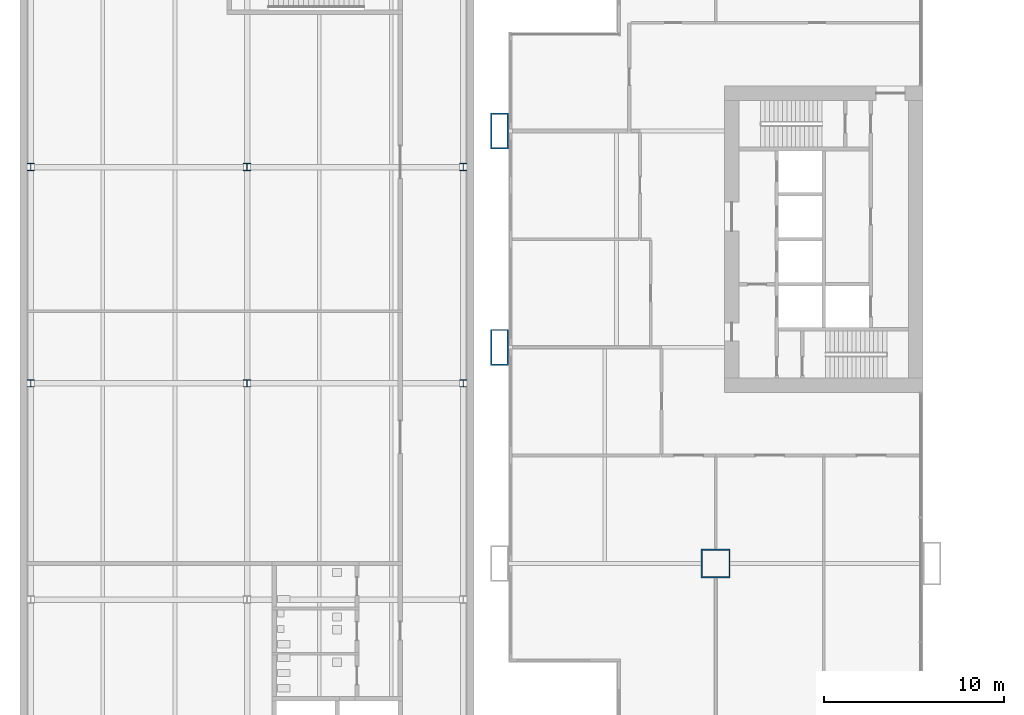
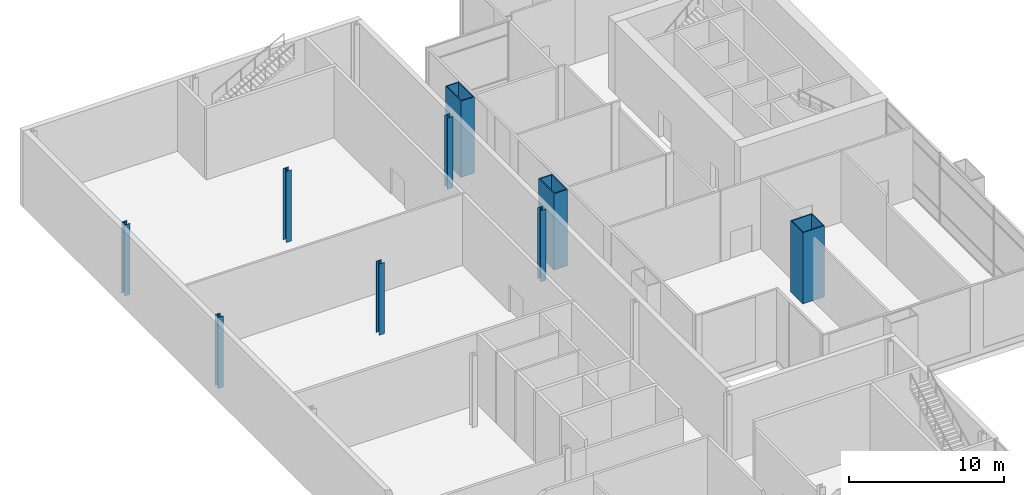
# One storey, part 3 of 30: 9 columns.
"""IFC4 building model written with IfcOpenShell, lengths in metres."""

from ifc_helpers import new_model, si_unit, direction, frame, origin, origin_2d, place, context, subcontext, project, spatial, hollow_rectangle, i_section, extrude, material, material_profile, profile_set, type_object, element, save


model = new_model("IFC4")

# Units and contexts
model_context = context("Model", 3, precision=1e-05, world=origin(), true_north=direction((0.0, 1.0)))
body_context = subcontext(model_context, "Body", "Model", "MODEL_VIEW")
ifc_project = project(units=[si_unit("LENGTHUNIT", "METRE"), si_unit("AREAUNIT", "SQUARE_METRE"), si_unit("VOLUMEUNIT", "CUBIC_METRE"), si_unit("PLANEANGLEUNIT", "RADIAN"), si_unit("MASSUNIT", "GRAM", prefix="KILO")], contexts=[model_context])

# Site, building, storey
site_placement = place(None, origin())
site = spatial("IfcSite", under=ifc_project, at=site_placement, CompositionType="ELEMENT")
building_placement = place(site_placement, origin())
building = spatial("IfcBuilding", under=site, at=building_placement, Name="Kitamizu Gate Tower and Museum", CompositionType="ELEMENT")
storey_placement = place(building_placement, frame((0.0, 0.0, 6.0)))
storey = spatial("IfcBuildingStorey", under=building, at=storey_placement, Name="L01", CompositionType="ELEMENT", Elevation=6.0)

# Columns
ifc_material_1 = material(Name="Steel SM490A", Category="steel")
ifc_material_profile_1 = material_profile(ifc_material_1, hollow_rectangle(XDim=1.60009765625, YDim=1.60009765625, WallThickness=0.070068359375, at=origin_2d()), Name="BOX 1600x1600x70")
ifc_profile_set_1 = profile_set([ifc_material_profile_1], Name="Steel SM490A")
column_type_1 = type_object("IfcColumnType", Name="Interior column IC1 BOX 1600x1600x70", PredefinedType="COLUMN", material=ifc_profile_set_1)
column_placement = place(storey_placement, frame((12.0, 12.0, 0.0), z_axis=(0.0, 0.0, 1.0), x_axis=(1.0, 0.0, 0.0)))
element("IfcColumn", 1, at=column_placement, inside=storey, type_object=column_type_1, Name="Column IC1 2B L01", PredefinedType="COLUMN", context=body_context, shape_type="SweptSolid", body=[
    extrude(hollow_rectangle(XDim=1.60009765625, YDim=1.60009765625, WallThickness=0.070068359375, at=origin_2d()), origin(), (0.0, 0.0, 1.0), 5.60009765625),
])
ifc_material_2 = material(Name="Steel SS400", Category="steel")
ifc_material_profile_2 = material_profile(ifc_material_2, i_section(OverallWidth=0.39990234375, OverallDepth=0.39990234375, WebThickness=0.012939453125, FlangeThickness=0.02099609375, FilletRadius=0.02197265625, at=origin_2d()), Name="H-400x400x13x21")
ifc_profile_set_2 = profile_set([ifc_material_profile_2], Name="Steel SS400")
column_type_2 = type_object("IfcColumnType", Name="Museum column H 400x400x13x21", PredefinedType="COLUMN", material=ifc_profile_set_2)
for number, where, z_axis, x_axis, name in (
    (2, (-14.0, 22.0, 0.0), (0.0, 0.0, 1.0), (1.0, 0.0, 0.0), "Column M2ME"),
    (3, (-14.0, 34.0, 0.0), (0.0, 0.0, 1.0), (1.0, 0.0, 0.0), "Column M2MF"),
):
    element("IfcColumn", number, at=place(storey_placement, frame(where, z_axis=z_axis, x_axis=x_axis)), inside=storey, type_object=column_type_2, Name=name, PredefinedType="COLUMN", context=body_context, shape_type="SweptSolid", body=[
        extrude(i_section(OverallWidth=0.39990234375, OverallDepth=0.39990234375, WebThickness=0.012939453125, FlangeThickness=0.02099609375, FilletRadius=0.02197265625, at=origin_2d()), origin(), (0.0, 0.0, 1.0), 5.60009765625),
    ])
ifc_material_3 = material(Name="Steel SS400", Category="steel")
ifc_material_profile_3 = material_profile(ifc_material_3, i_section(OverallWidth=0.39990234375, OverallDepth=0.39990234375, WebThickness=0.012939453125, FlangeThickness=0.02099609375, FilletRadius=0.02197265625, at=origin_2d()), Name="H-400x400x13x21")
ifc_profile_set_3 = profile_set([ifc_material_profile_3], Name="Steel SS400")
column_type_3 = type_object("IfcColumnType", Name="Museum perimeter column H 400x400x13x21", PredefinedType="COLUMN", material=ifc_profile_set_3)
for number, where, z_axis, x_axis, name in (
    (4, (-26.0, 22.0, 0.0), (0.0, 0.0, 1.0), (1.0, 0.0, 0.0), "Column M1ME"),
    (5, (-26.0, 34.0, 0.0), (0.0, 0.0, 1.0), (1.0, 0.0, 0.0), "Column M1MF"),
    (6, (-2.0, 22.0, 0.0), (0.0, 0.0, 1.0), (1.0, 0.0, 0.0), "Column M3ME"),
    (7, (-2.0, 34.0, 0.0), (0.0, 0.0, 1.0), (1.0, 0.0, 0.0), "Column M3MF"),
):
    element("IfcColumn", number, at=place(storey_placement, frame(where, z_axis=z_axis, x_axis=x_axis)), inside=storey, type_object=column_type_3, Name=name, PredefinedType="COLUMN", context=body_context, shape_type="SweptSolid", body=[
        extrude(i_section(OverallWidth=0.39990234375, OverallDepth=0.39990234375, WebThickness=0.012939453125, FlangeThickness=0.02099609375, FilletRadius=0.02197265625, at=origin_2d()), origin(), (0.0, 0.0, 1.0), 5.60009765625),
    ])
ifc_material_4 = material(Name="Steel SM490A bronze coated", Category="steel")
ifc_material_profile_4 = material_profile(ifc_material_4, hollow_rectangle(XDim=2.0, YDim=1.0, WallThickness=0.080078125, at=origin_2d()), Name="BOX 2000x1000x80")
ifc_profile_set_4 = profile_set([ifc_material_profile_4], Name="Steel SM490A bronze coated")
column_type_4 = type_object("IfcColumnType", Name="Podium leg column LC1 BOX 2000x1000x80", PredefinedType="COLUMN", material=ifc_profile_set_4)
for number, where, z_axis, x_axis, name in (
    (8, (0.0, 24.0, -0.39990234375), (0.0, 0.0, 1.0), (0.0, 1.0, 0.0), "Column LC1 1C L01"),
    (9, (0.0, 36.0, -0.39990234375), (0.0, 0.0, 1.0), (0.0, 1.0, 0.0), "Column LC1 1D L01"),
):
    element("IfcColumn", number, at=place(storey_placement, frame(where, z_axis=z_axis, x_axis=x_axis)), inside=storey, type_object=column_type_4, Name=name, PredefinedType="COLUMN", context=body_context, shape_type="SweptSolid", body=[
        extrude(hollow_rectangle(XDim=2.0, YDim=1.0, WallThickness=0.080078125, at=origin_2d()), origin(), (0.0, 0.0, 1.0), 6.0),
    ])

save(model, "model.ifc")
